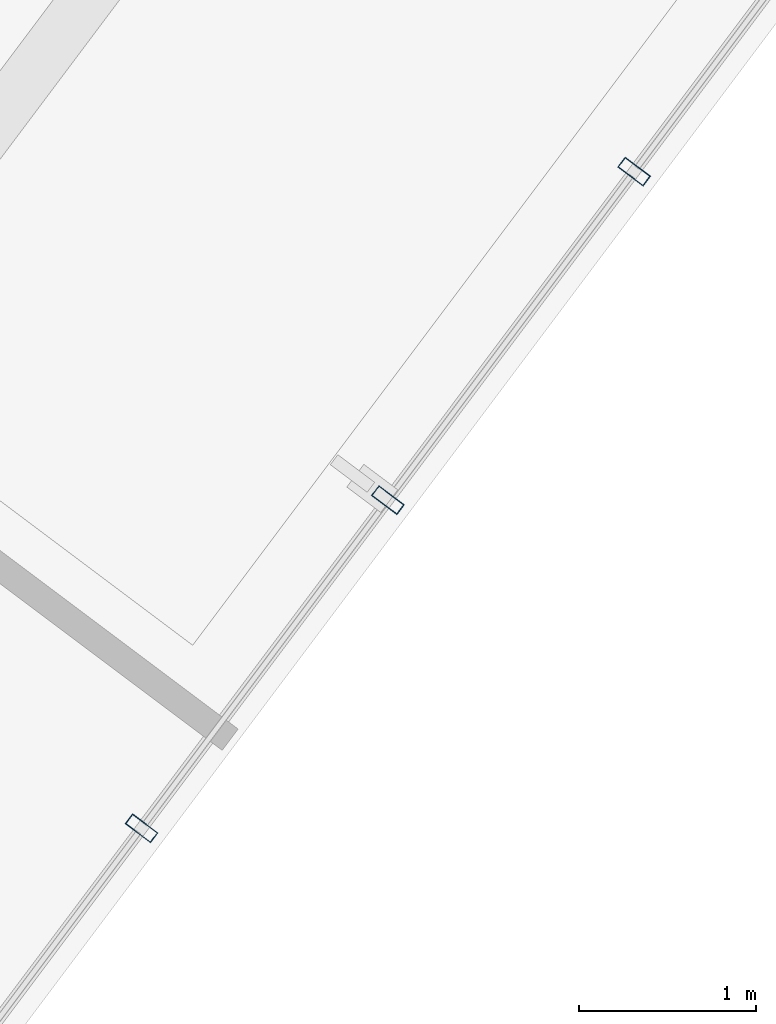
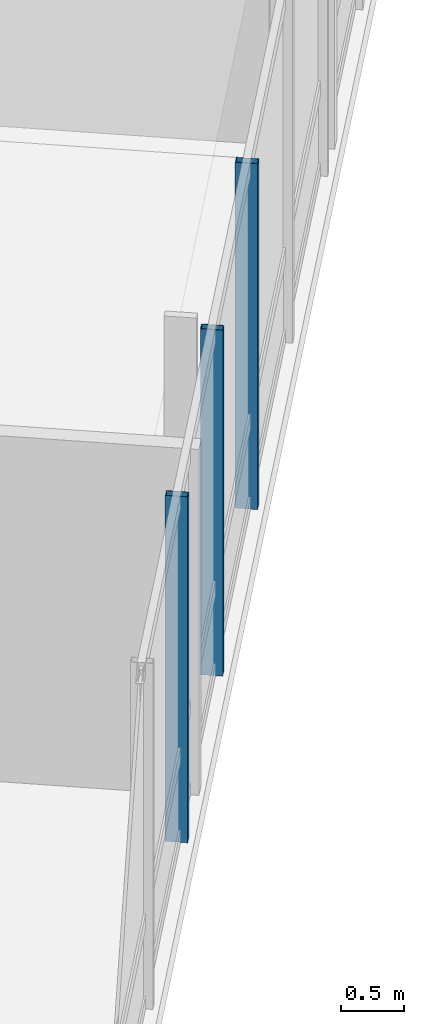
# One storey, part 11 of 26: 3 members, 1 element without a shape of its own.
"""IFC4 building model written with IfcOpenShell, lengths in metres."""

from ifc_helpers import new_model, si_unit, direction, frame, origin, origin_2d, place, context, subcontext, project, spatial, hollow_rectangle, extrude, material, layer, layer_set, material_profile, profile_set, type_object, element, aggregate, save


model = new_model("IFC4")

# Units and contexts
model_context = context("Model", 3, precision=1e-05, world=origin(), true_north=direction((0.0, 1.0)))
body_context = subcontext(model_context, "Body", "Model", "MODEL_VIEW")
ifc_project = project(units=[si_unit("LENGTHUNIT", "METRE"), si_unit("AREAUNIT", "SQUARE_METRE"), si_unit("VOLUMEUNIT", "CUBIC_METRE"), si_unit("PLANEANGLEUNIT", "RADIAN"), si_unit("MASSUNIT", "GRAM", prefix="KILO")], contexts=[model_context])

# Site, building, storey
site_placement = place(None, origin())
site = spatial("IfcSite", under=ifc_project, at=site_placement, CompositionType="ELEMENT")
building_placement = place(site_placement, origin())
building = spatial("IfcBuilding", under=site, at=building_placement, Name="Hatsunagi Terrace Concourse", CompositionType="ELEMENT")
storey_placement = place(building_placement, frame((0.0, 0.0, 227.550048828125)))
storey = spatial("IfcBuildingStorey", under=building, at=storey_placement, Name="L60", CompositionType="ELEMENT", Elevation=227.550048828125)

# Curtain wall, members
ifc_material_1 = material(Name="Anodised Aluminium Alloy 6063-T5", Category="aluminium")
ifc_layer = layer(ifc_material_1, 0.199951171875)
ifc_layer_set = layer_set([ifc_layer], Name="OfficeZone2_CW04")
curtain_wall_type = type_object("IfcCurtainWallType", Name="OfficeZone2_CW04", PredefinedType="NOTDEFINED", material=ifc_layer_set)
curtain_wall_placement = place(storey_placement, origin())
curtain_wall = element("IfcCurtainWall", 1, at=curtain_wall_placement, inside=storey, type_object=curtain_wall_type, Name="Unitised Curtain Wall CW-04 CW-L60-03", PredefinedType="NOTDEFINED")
ifc_material_2 = material(Name="Anodised Aluminium Alloy 6063-T5", Category="aluminium")
ifc_material_profile = material_profile(ifc_material_2, hollow_rectangle(XDim=0.070068359375, YDim=0.179931640625, WallThickness=0.00390625, at=origin_2d()), Name="ALU-MUL-180x70x4")
ifc_profile_set = profile_set([ifc_material_profile], Name="Anodised Aluminium Alloy 6063-T5")
member_type = type_object("IfcMemberType", Name="CurtainWallMullion_180x70", PredefinedType="MULLION", material=ifc_profile_set)
member_1_placement = place(storey_placement, frame((53.73193359375, 16.676025390625, 0.0), z_axis=(0.0, 0.0, 1.0), x_axis=(-0.599969314634, -0.800023013105, 0.0)))
member_1 = element("IfcMember", 2, at=member_1_placement, type_object=member_type, Name="Curtain Wall Mullion MUL-02", PredefinedType="MULLION", context=body_context, shape_type="SweptSolid", body=[
    extrude(hollow_rectangle(XDim=0.070068359375, YDim=0.179931640625, WallThickness=0.00390625, at=origin_2d()), origin(), (0.0, 0.0, 1.0), 3.349853515625),
])
member_2_placement = place(storey_placement, frame((52.340087890625, 14.819091796875, 0.0), z_axis=(0.0, 0.0, 1.0), x_axis=(-0.599969314634, -0.800023013105, 0.0)))
member_2 = element("IfcMember", 3, at=member_2_placement, type_object=member_type, Name="Curtain Wall Mullion MUL-02", PredefinedType="MULLION", context=body_context, shape_type="SweptSolid", body=[
    extrude(hollow_rectangle(XDim=0.070068359375, YDim=0.179931640625, WallThickness=0.00390625, at=origin_2d()), origin(), (0.0, 0.0, 1.0), 3.349853515625),
])
member_3_placement = place(storey_placement, frame((50.947021484375, 12.962890625, 0.0), z_axis=(0.0, 0.0, 1.0), x_axis=(-0.599969314634, -0.800023013105, 0.0)))
member_3 = element("IfcMember", 4, at=member_3_placement, type_object=member_type, Name="Curtain Wall Mullion MUL-02", PredefinedType="MULLION", context=body_context, shape_type="SweptSolid", body=[
    extrude(hollow_rectangle(XDim=0.070068359375, YDim=0.179931640625, WallThickness=0.00390625, at=origin_2d()), origin(), (0.0, 0.0, 1.0), 3.349853515625),
])
aggregate(curtain_wall, [member_1, member_2, member_3])

save(model, "model.ifc")
